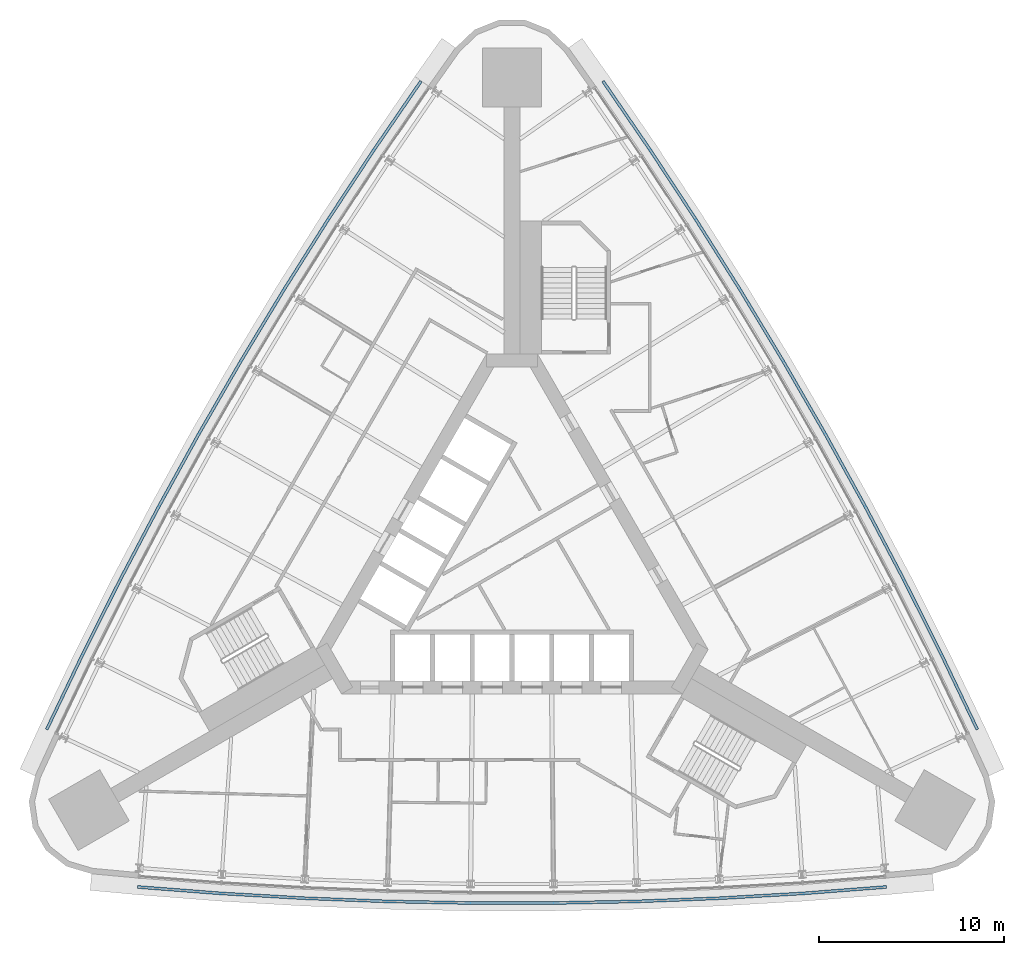
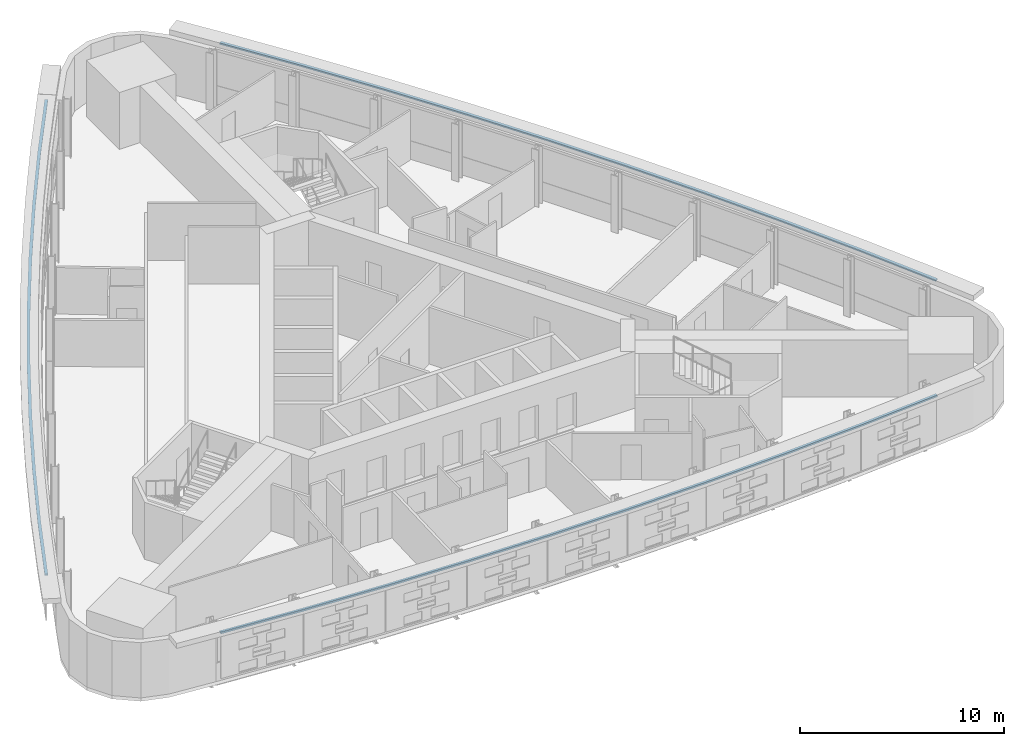
# One storey, part 12 of 14: 3 discrete accessories.
"""IFC4 building model written with IfcOpenShell, lengths in metres."""

from ifc_helpers import new_model, si_unit, direction, frame, origin, place, context, subcontext, project, spatial, polyline, outline, extrude, material, type_object, element, save


model = new_model("IFC4")

# Units and contexts
model_context = context("Model", 3, precision=1e-05, world=origin(), true_north=direction((0.0, 1.0)))
body_context = subcontext(model_context, "Body", "Model", "MODEL_VIEW")
ifc_project = project(units=[si_unit("LENGTHUNIT", "METRE"), si_unit("AREAUNIT", "SQUARE_METRE"), si_unit("VOLUMEUNIT", "CUBIC_METRE"), si_unit("PLANEANGLEUNIT", "RADIAN"), si_unit("MASSUNIT", "GRAM", prefix="KILO")], contexts=[model_context])

# Site, building, storey
site_placement = place(None, origin())
site = spatial("IfcSite", under=ifc_project, at=site_placement, CompositionType="ELEMENT")
building_placement = place(site_placement, origin())
building = spatial("IfcBuilding", under=site, at=building_placement, Name="Noor Cloister Tower", CompositionType="ELEMENT")
storey_placement = place(building_placement, frame((0.0, 0.0, 72.60009765625)))
storey = spatial("IfcBuildingStorey", under=building, at=storey_placement, Name="L18", CompositionType="ELEMENT", Elevation=72.60009765625)

# Discrete accessories
ifc_material = material(Name="Stainless steel grade 316", Category="steel")
discrete_accessory_type = type_object("IfcDiscreteAccessoryType", Name="Stainless hanger rail", PredefinedType="BRACKET", material=ifc_material)
discrete_accessory_1_placement = place(storey_placement, frame((0.0, 0.0, 3.199951171875)))
element("IfcDiscreteAccessory", 1, at=discrete_accessory_1_placement, inside=storey, type_object=discrete_accessory_type, Name="Hanger rail L18", PredefinedType="BRACKET", context=body_context, shape_type="SweptSolid", body=[
    extrude(outline(polyline([(-4.986083984375, 26.281982421875), (-7.532958984375, 22.5654296875), (-10.010498046875, 18.796142578125), (-12.414794921875, 14.9794921875), (-14.7451171875, 11.117431640625), (-17.00048828125, 7.2109375), (-19.18017578125, 3.26171875), (-21.282958984375, -0.728759765625), (-23.30859375, -4.759033203125), (-25.25390625, -8.82275390625), (-25.109619140625, -8.891845703125), (-23.1650390625, -4.82958984375), (-21.140869140625, -0.802001953125), (-19.039306640625, 3.185791015625), (-16.861083984375, 7.13232421875), (-14.607421875, 11.0361328125), (-12.278564453125, 14.8955078125), (-9.8759765625, 18.70947265625), (-7.39990234375, 22.476318359375), (-4.854248046875, 26.19140625), (-4.986083984375, 26.281982421875)])), origin(), (0.0, 0.0, 1.0), 0.099853515625),
])
discrete_accessory_2_placement = place(storey_placement, frame((0.0, 0.0, 3.199951171875)))
element("IfcDiscreteAccessory", 2, at=discrete_accessory_2_placement, inside=storey, type_object=discrete_accessory_type, Name="Hanger rail L18", PredefinedType="BRACKET", context=body_context, shape_type="SweptSolid", body=[
    extrude(outline(polyline([(-20.267822265625, -17.458984375), (-15.77587890625, -17.806396484375), (-11.272705078125, -18.0673828125), (-6.765380859375, -18.2412109375), (-2.25537109375, -18.328369140625), (2.25537109375, -18.328369140625), (6.765380859375, -18.2412109375), (11.272705078125, -18.0673828125), (15.77587890625, -17.806396484375), (20.267822265625, -17.458984375), (20.25537109375, -17.299560546875), (15.76513671875, -17.646728515625), (11.264892578125, -17.907470703125), (6.7607421875, -18.081298828125), (2.25390625, -18.168212890625), (-2.25390625, -18.168212890625), (-6.7607421875, -18.081298828125), (-11.264892578125, -17.907470703125), (-15.76513671875, -17.646728515625), (-20.25537109375, -17.299560546875), (-20.267822265625, -17.458984375)])), origin(), (0.0, 0.0, 1.0), 0.099853515625),
])
discrete_accessory_3_placement = place(storey_placement, frame((0.0, 0.0, 3.199951171875)))
element("IfcDiscreteAccessory", 3, at=discrete_accessory_3_placement, inside=storey, type_object=discrete_accessory_type, Name="Hanger rail L18", PredefinedType="BRACKET", context=body_context, shape_type="SweptSolid", body=[
    extrude(outline(polyline([(25.25390625, -8.82275390625), (23.30859375, -4.759033203125), (21.282958984375, -0.728759765625), (19.18017578125, 3.26171875), (17.00048828125, 7.2109375), (14.7451171875, 11.117431640625), (12.414794921875, 14.9794921875), (10.010498046875, 18.796142578125), (7.532958984375, 22.5654296875), (4.986083984375, 26.281982421875), (4.854248046875, 26.19140625), (7.39990234375, 22.476318359375), (9.8759765625, 18.70947265625), (12.278564453125, 14.8955078125), (14.607421875, 11.0361328125), (16.861083984375, 7.13232421875), (19.039306640625, 3.185791015625), (21.140869140625, -0.802001953125), (23.1650390625, -4.82958984375), (25.109619140625, -8.891845703125), (25.25390625, -8.82275390625)])), origin(), (0.0, 0.0, 1.0), 0.099853515625),
])

save(model, "model.ifc")
